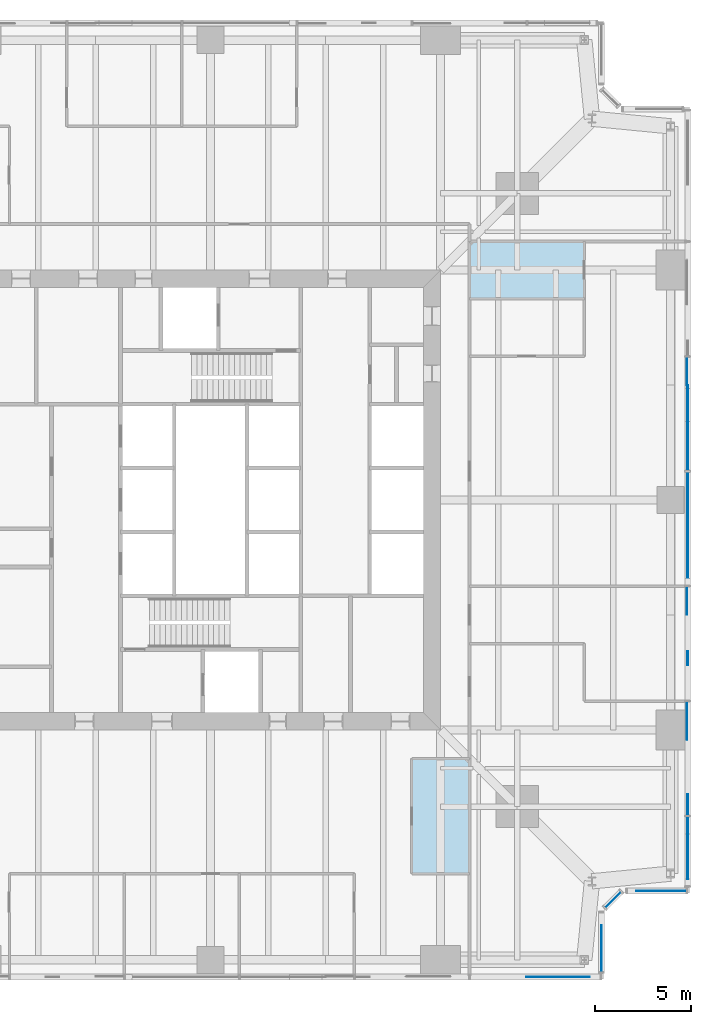
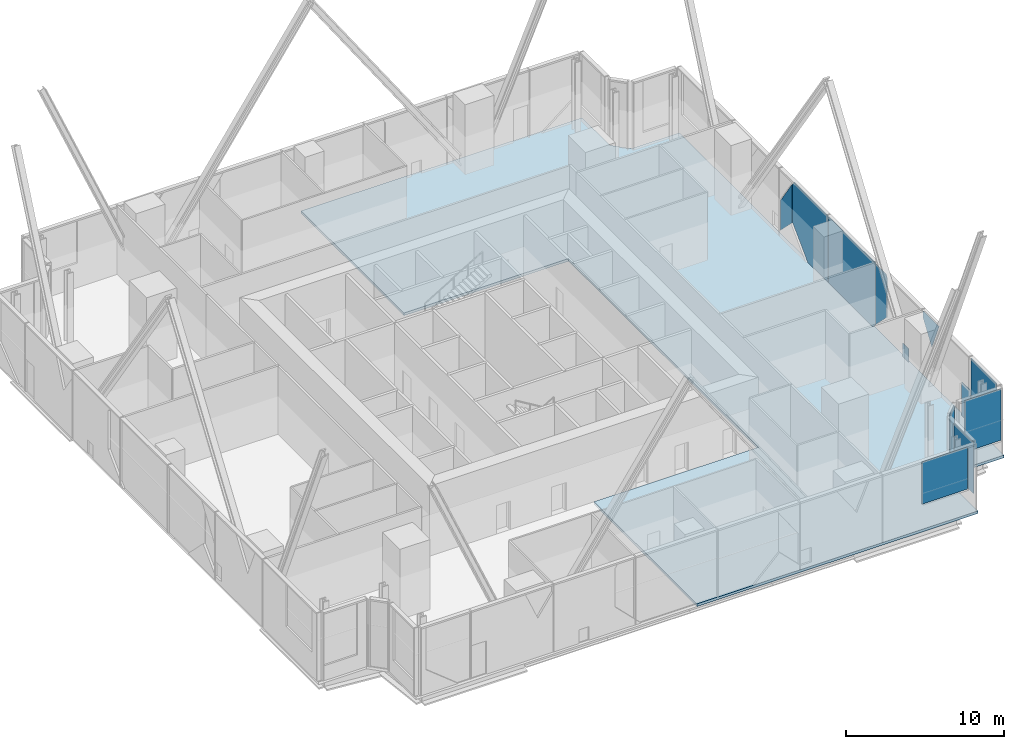
# One storey, part 7 of 13: 12 plates, 1 slab, 5 elements without a shape of their own.
"""IFC4 building model written with IfcOpenShell, lengths in metres."""

from ifc_helpers import new_model, si_unit, direction, frame, origin, origin_2d, place, context, subcontext, project, spatial, polyline, rectangle, outline, extrude, material, layer, layer_set, type_object, element, aggregate, save


model = new_model("IFC4")

# Units and contexts
model_context = context("Model", 3, precision=1e-05, world=origin(), true_north=direction((0.0, 1.0)))
body_context = subcontext(model_context, "Body", "Model", "MODEL_VIEW")
ifc_project = project(units=[si_unit("LENGTHUNIT", "METRE"), si_unit("AREAUNIT", "SQUARE_METRE"), si_unit("VOLUMEUNIT", "CUBIC_METRE"), si_unit("PLANEANGLEUNIT", "RADIAN"), si_unit("MASSUNIT", "GRAM", prefix="KILO")], contexts=[model_context])

# Site, building, storey
site_placement = place(None, origin())
site = spatial("IfcSite", under=ifc_project, at=site_placement, CompositionType="ELEMENT")
building_placement = place(site_placement, origin())
building = spatial("IfcBuilding", under=site, at=building_placement, Name="Fenwick Lantern Interchange", CompositionType="ELEMENT")
storey_placement = place(building_placement, frame((0.0, 0.0, 97.0)))
storey = spatial("IfcBuildingStorey", under=building, at=storey_placement, Name="L22", CompositionType="ELEMENT", Elevation=97.0)

# Slab
ifc_material_1 = material(Name="Concrete f'c 35 MPa", Category="concrete")
ifc_layer_1 = layer(ifc_material_1, 0.199951171875)
ifc_layer_set_1 = layer_set([ifc_layer_1], Name="Concrete f'c 35 MPa")
slab_type = type_object("IfcSlabType", Name="FLOOR SLAB 200", PredefinedType="FLOOR", material=ifc_layer_set_1)
slab_placement = place(storey_placement, frame((0.0, 0.0, -0.199951171875)))
element("IfcSlab", 1, at=slab_placement, inside=storey, type_object=slab_type, Name="L22/SLAB/FE", PredefinedType="FLOOR", context=body_context, shape_type="SweptSolid", body=[
    extrude(outline(polyline([(45.5, 50.0), (45.5, 46.5), (46.5, 45.5), (50.0, 45.5), (50.0, 4.5), (46.5, 4.5), (45.5, 3.5), (45.5, 0.0), (25.0, 0.0), (25.0, 13.0), (37.0, 13.0), (37.0, 37.0), (25.0, 37.0), (25.0, 50.0), (45.5, 50.0)])), origin(), (0.0, 0.0, 1.0), 0.199951171875),
])

# Curtain wall, plate
ifc_material_2 = material(Name="Aluminium curtain wall frame", Category="aluminium")
curtain_wall_type = type_object("IfcCurtainWallType", Name="SKY LOBBY GLAZING", PredefinedType="USERDEFINED", material=ifc_material_2)
curtain_wall_1_placement = place(storey_placement, origin())
curtain_wall_1 = element("IfcCurtainWall", 2, at=curtain_wall_1_placement, inside=storey, type_object=curtain_wall_type, Name="Sky lobby glazing 01", ObjectType="SKY LOBBY GLAZING", PredefinedType="USERDEFINED")
ifc_material_3 = material(Name="Vision glass, clear laminated double glazed", Category="glass")
ifc_layer_2 = layer(ifc_material_3, 0.035888671875)
ifc_layer_set_2 = layer_set([ifc_layer_2], Name="SKY LOBBY GLAZING PANEL 36")
plate_type = type_object("IfcPlateType", Name="SKY LOBBY GLAZING PANEL 36", PredefinedType="CURTAIN_PANEL", material=ifc_layer_set_2)
plate_1_placement = place(storey_placement, frame((4.60009765625, 0.10009765625, 1.880126953125), z_axis=(0.0, 0.0, 1.0), x_axis=(1.0, 0.0, 0.0)))
plate_1 = element("IfcPlate", 3, at=plate_1_placement, type_object=plate_type, Name="L22/CW/01/P06a", PredefinedType="CURTAIN_PANEL", context=body_context, shape_type="SweptSolid", body=[
    extrude(outline(polyline([(36.857421875, 0.0), (40.18115234375, 0.0), (40.18115234375, 3.249755859375), (36.857421875, 3.249755859375), (36.857421875, 0.0)])), frame((0.0, 0.01806640625, 0.0), z_axis=(0.0, -1.0, 0.0), x_axis=(1.0, 0.0, 0.0)), (0.0, 0.0, 1.0), 0.035888671875),
])
aggregate(curtain_wall_1, [plate_1])

curtain_wall_2_placement = place(storey_placement, origin())
curtain_wall_2 = element("IfcCurtainWall", 4, at=curtain_wall_2_placement, inside=storey, type_object=curtain_wall_type, Name="Sky lobby glazing 02", ObjectType="SKY LOBBY GLAZING", PredefinedType="USERDEFINED")
plate_2_placement = place(storey_placement, frame((45.39990234375, 0.10009765625, 1.14990234375), z_axis=(0.0, 0.0, 1.0), x_axis=(0.0, 1.0, 0.0)))
plate_2 = element("IfcPlate", 5, at=plate_2_placement, type_object=plate_type, Name="L22/CW/02/P00a", PredefinedType="CURTAIN_PANEL", context=body_context, shape_type="SweptSolid", body=[
    extrude(outline(polyline([(0.280029296875, 0.0), (2.699951171875, 0.0), (2.699951171875, 3.97998046875), (0.280029296875, 3.97998046875), (0.280029296875, 0.0)])), frame((0.0, 0.01806640625, 0.0), z_axis=(0.0, -1.0, 0.0), x_axis=(1.0, 0.0, 0.0)), (0.0, 0.0, 1.0), 0.035888671875),
])
aggregate(curtain_wall_2, [plate_2])

curtain_wall_3_placement = place(storey_placement, origin())
curtain_wall_3 = element("IfcCurtainWall", 6, at=curtain_wall_3_placement, inside=storey, type_object=curtain_wall_type, Name="Sky lobby glazing 03", ObjectType="SKY LOBBY GLAZING", PredefinedType="USERDEFINED")
plate_3_placement = place(storey_placement, frame((46.0, 4.141357421875, 0.0), z_axis=(0.0, 0.0, 1.0), x_axis=(0.707106781187, 0.707106781187, 0.0)))
plate_3 = element("IfcPlate", 7, at=plate_3_placement, type_object=plate_type, Name="L22/CW/03/P00", PredefinedType="CURTAIN_PANEL", context=body_context, shape_type="SweptSolid", body=[
    extrude(rectangle(XDim=1.136962890625, YDim=0.035888671875, at=origin_2d()), origin(), (0.0, 0.0, 1.0), 5.1298828125),
])
aggregate(curtain_wall_3, [plate_3])

curtain_wall_4_placement = place(storey_placement, origin())
curtain_wall_4 = element("IfcCurtainWall", 8, at=curtain_wall_4_placement, inside=storey, type_object=curtain_wall_type, Name="Sky lobby glazing 04", ObjectType="SKY LOBBY GLAZING", PredefinedType="USERDEFINED")
plate_4_placement = place(storey_placement, frame((46.45849609375, 4.60009765625, 1.14990234375), z_axis=(0.0, 0.0, 1.0), x_axis=(1.0, 0.0, 0.0)))
plate_4 = element("IfcPlate", 9, at=plate_4_placement, type_object=plate_type, Name="L22/CW/04/P00a", PredefinedType="CURTAIN_PANEL", context=body_context, shape_type="SweptSolid", body=[
    extrude(outline(polyline([(0.741455078125, 0.0), (3.361328125, 0.0), (3.361328125, 3.97998046875), (0.741455078125, 3.97998046875), (0.741455078125, 0.0)])), frame((0.0, 0.01806640625, 0.0), z_axis=(0.0, -1.0, 0.0), x_axis=(1.0, 0.0, 0.0)), (0.0, 0.0, 1.0), 0.035888671875),
])
aggregate(curtain_wall_4, [plate_4])

# Curtain wall, plates
curtain_wall_5_placement = place(storey_placement, origin())
curtain_wall_5 = element("IfcCurtainWall", 10, at=curtain_wall_5_placement, inside=storey, type_object=curtain_wall_type, Name="Sky lobby glazing 05", ObjectType="SKY LOBBY GLAZING", PredefinedType="USERDEFINED")
plate_5_placement = place(storey_placement, frame((49.89990234375, 4.60009765625, 0.0), z_axis=(0.0, 0.0, 1.0), x_axis=(0.0, 1.0, 0.0)))
plate_5 = element("IfcPlate", 11, at=plate_5_placement, type_object=plate_type, Name="L22/CW/05/P00a", PredefinedType="CURTAIN_PANEL", context=body_context, shape_type="SweptSolid", body=[
    extrude(outline(polyline([(2.968994140625, 0.0), (3.860107421875, 0.0), (3.860107421875, 5.1298828125), (0.618896484375, 5.1298828125), (0.618896484375, 1.880126953125), (2.968994140625, 0.0)])), frame((0.0, 0.01806640625, 0.0), z_axis=(0.0, -1.0, 0.0), x_axis=(1.0, 0.0, 0.0)), (0.0, 0.0, 1.0), 0.035888671875),
])
plate_6_placement = place(storey_placement, frame((49.89990234375, 4.60009765625, 0.0), z_axis=(0.0, 0.0, 1.0), x_axis=(0.0, 1.0, 0.0)))
plate_6 = element("IfcPlate", 12, at=plate_6_placement, type_object=plate_type, Name="L22/CW/05/P01a", PredefinedType="CURTAIN_PANEL", context=body_context, shape_type="SweptSolid", body=[
    extrude(outline(polyline([(3.93994140625, 0.0), (5.0400390625, 0.0), (5.0400390625, 2.571533203125), (3.93994140625, 2.571533203125), (3.93994140625, 0.0)])), frame((0.0, 0.01806640625, 0.0), z_axis=(0.0, -1.0, 0.0), x_axis=(1.0, 0.0, 0.0)), (0.0, 0.0, 1.0), 0.035888671875),
])
plate_7_placement = place(storey_placement, frame((49.89990234375, 4.60009765625, 3.017822265625), z_axis=(0.0, 0.0, 1.0), x_axis=(0.0, 1.0, 0.0)))
plate_7 = element("IfcPlate", 13, at=plate_7_placement, type_object=plate_type, Name="L22/CW/05/P01b", PredefinedType="CURTAIN_PANEL", context=body_context, shape_type="SweptSolid", body=[
    extrude(outline(polyline([(8.765625, 0.0), (9.860107421875, 1.594970703125), (9.860107421875, 2.112060546875), (7.85986328125, 2.112060546875), (8.765625, 0.0)])), frame((0.0, 0.05615234375, 0.0), z_axis=(0.0, -1.0, 0.0), x_axis=(1.0, 0.0, 0.0)), (0.0, 0.0, 1.0), 0.035888671875),
])
plate_8_placement = place(storey_placement, frame((49.89990234375, 4.60009765625, 0.0), z_axis=(0.0, 0.0, 1.0), x_axis=(0.0, 1.0, 0.0)))
plate_8 = element("IfcPlate", 14, at=plate_8_placement, type_object=plate_type, Name="L22/CW/05/P02a", PredefinedType="CURTAIN_PANEL", context=body_context, shape_type="SweptSolid", body=[
    extrude(outline(polyline([(11.781005859375, 0.0), (12.5009765625, 0.0), (12.5009765625, 1.049560546875), (11.781005859375, 1.049560546875), (11.781005859375, 0.0)])), frame((0.0, 0.01806640625, 0.0), z_axis=(0.0, -1.0, 0.0), x_axis=(1.0, 0.0, 0.0)), (0.0, 0.0, 1.0), 0.035888671875),
])
plate_9_placement = place(storey_placement, frame((49.89990234375, 4.60009765625, 0.435546875), z_axis=(0.0, 0.0, 1.0), x_axis=(0.0, 1.0, 0.0)))
plate_9 = element("IfcPlate", 15, at=plate_9_placement, type_object=plate_type, Name="L22/CW/05/P02b", PredefinedType="CURTAIN_PANEL", context=body_context, shape_type="SweptSolid", body=[
    extrude(outline(polyline([(15.860107421875, 0.0), (15.860107421875, 4.6943359375), (14.58056640625, 4.6943359375), (14.39990234375, 4.43115234375), (14.39990234375, 1.4599609375), (15.860107421875, 0.0)])), frame((0.0, 0.05615234375, 0.0), z_axis=(0.0, -1.0, 0.0), x_axis=(1.0, 0.0, 0.0)), (0.0, 0.0, 1.0), 0.035888671875),
])
plate_10_placement = place(storey_placement, frame((49.89990234375, 4.60009765625, 0.0), z_axis=(0.0, 0.0, 1.0), x_axis=(0.0, 1.0, 0.0)))
plate_10 = element("IfcPlate", 16, at=plate_10_placement, type_object=plate_type, Name="L22/CW/05/P03a", PredefinedType="CURTAIN_PANEL", context=body_context, shape_type="SweptSolid", body=[
    extrude(outline(polyline([(16.295654296875, 0.0), (21.860107421875, 0.0), (21.860107421875, 5.1298828125), (15.93994140625, 5.1298828125), (15.93994140625, 0.35546875), (16.295654296875, 0.0)])), frame((0.0, 0.01806640625, 0.0), z_axis=(0.0, -1.0, 0.0), x_axis=(1.0, 0.0, 0.0)), (0.0, 0.0, 1.0), 0.035888671875),
])
plate_11_placement = place(storey_placement, frame((49.89990234375, 4.60009765625, 0.0), z_axis=(0.0, 0.0, 1.0), x_axis=(0.0, 1.0, 0.0)))
plate_11 = element("IfcPlate", 17, at=plate_11_placement, type_object=plate_type, Name="L22/CW/05/P04a", PredefinedType="CURTAIN_PANEL", context=body_context, shape_type="SweptSolid", body=[
    extrude(outline(polyline([(21.93994140625, 0.0), (24.50439453125, 0.0), (26.39990234375, 1.8955078125), (26.39990234375, 4.86669921875), (26.219482421875, 5.1298828125), (21.93994140625, 5.1298828125), (21.93994140625, 0.0)])), frame((0.0, 0.01806640625, 0.0), z_axis=(0.0, -1.0, 0.0), x_axis=(1.0, 0.0, 0.0)), (0.0, 0.0, 1.0), 0.035888671875),
])
plate_12_placement = place(storey_placement, frame((49.89990234375, 4.60009765625, 0.435546875), z_axis=(0.0, 0.0, 1.0), x_axis=(0.0, 1.0, 0.0)))
plate_12 = element("IfcPlate", 18, at=plate_12_placement, type_object=plate_type, Name="L22/CW/05/P04b", PredefinedType="CURTAIN_PANEL", context=body_context, shape_type="SweptSolid", body=[
    extrude(outline(polyline([(27.860107421875, 0.0), (27.860107421875, 2.30322265625), (26.39990234375, 4.43115234375), (26.39990234375, 1.4599609375), (27.860107421875, 0.0)])), frame((0.0, 0.05615234375, 0.0), z_axis=(0.0, -1.0, 0.0), x_axis=(1.0, 0.0, 0.0)), (0.0, 0.0, 1.0), 0.035888671875),
])
aggregate(curtain_wall_5, [plate_5, plate_6, plate_7, plate_8, plate_9, plate_10, plate_11, plate_12])

save(model, "model.ifc")
